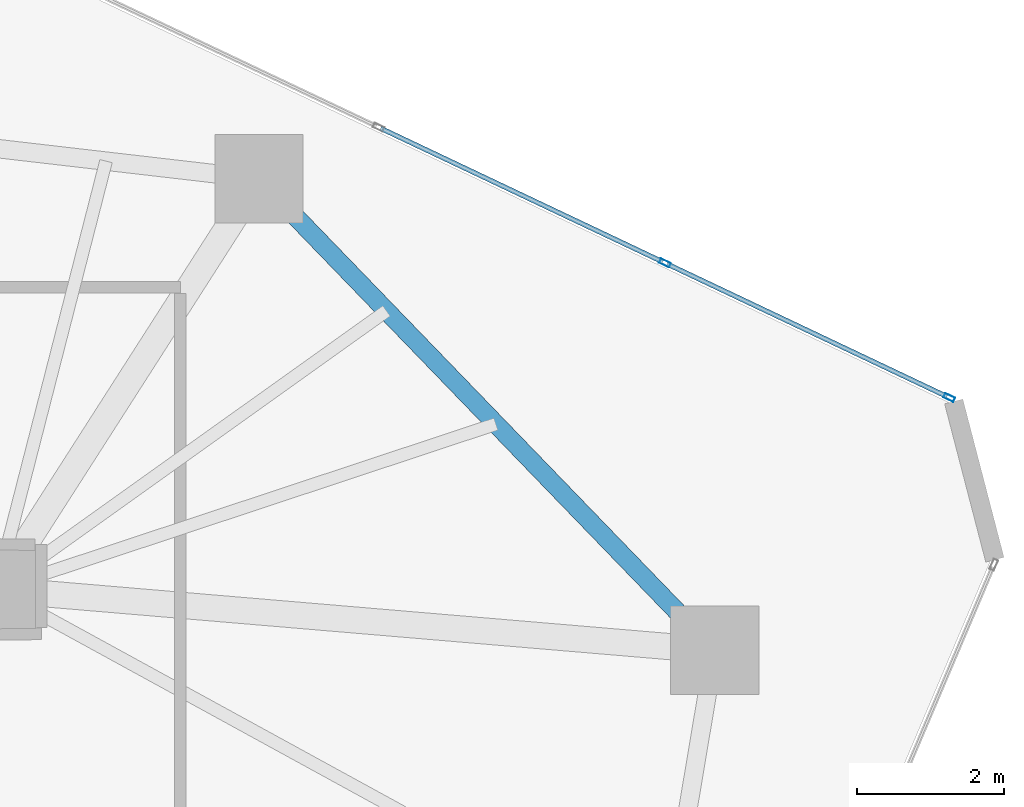
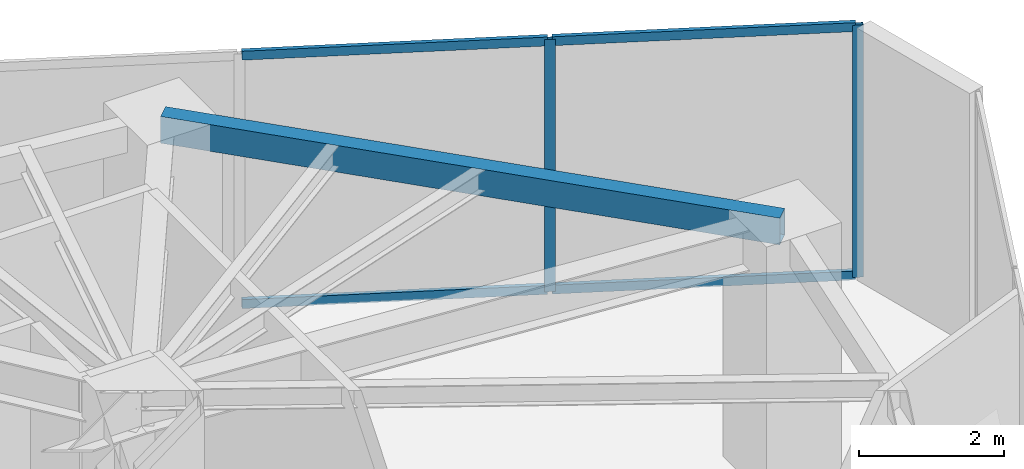
# One storey, part 20 of 28: 6 members, 1 beam, 1 element without a shape of its own.
"""IFC4 building model written with IfcOpenShell, lengths in metres."""

from ifc_helpers import new_model, si_unit, direction, frame, origin, origin_2d, place, context, subcontext, project, spatial, hollow_rectangle, extrude, source, transform, mapped, material, layer, layer_set, material_profile, profile_set, type_object, type_shapes, element, aggregate, save


model = new_model("IFC4")

# Units and contexts
model_context = context("Model", 3, precision=1e-05, world=origin(), true_north=direction((0.0, 1.0)))
body_context = subcontext(model_context, "Body", "Model", "MODEL_VIEW")
ifc_project = project(units=[si_unit("LENGTHUNIT", "METRE"), si_unit("AREAUNIT", "SQUARE_METRE"), si_unit("VOLUMEUNIT", "CUBIC_METRE"), si_unit("PLANEANGLEUNIT", "RADIAN"), si_unit("MASSUNIT", "GRAM", prefix="KILO")], contexts=[model_context])

# Site, building, storey
site_placement = place(None, origin())
site = spatial("IfcSite", under=ifc_project, at=site_placement, CompositionType="ELEMENT")
building_placement = place(site_placement, origin())
building = spatial("IfcBuilding", under=site, at=building_placement, Name="Talar Marvaseh", CompositionType="ELEMENT")
storey_placement = place(building_placement, frame((0.0, 0.0, 157.800048828125)))
storey = spatial("IfcBuildingStorey", under=building, at=storey_placement, Name="L41", CompositionType="ELEMENT", Elevation=157.800048828125)

# Beam
ifc_material_1 = material(Name="Steel S355", Category="steel")
ifc_material_profile_1 = material_profile(ifc_material_1, hollow_rectangle(XDim=0.25, YDim=0.449951171875, WallThickness=0.01611328125, at=origin_2d()), Name="RHS450x250x16")
ifc_profile_set_1 = profile_set([ifc_material_profile_1], Name="Steel S355")
beam_type = type_object("IfcBeamType", Name="Zone 2 Perimeter Spandrel Beam RHS450x250x16", PredefinedType="SPANDREL", material=ifc_profile_set_1)
beam_placement = place(storey_placement, frame((36.865966796875, 42.470947265625, 4.02490234375), z_axis=(0.694796856243, -0.719206040405, 0.0), x_axis=(0.719206040405, 0.694796856243, 0.0)))
element("IfcBeam", 1, at=beam_placement, inside=storey, type_object=beam_type, Name="L41 Zone 2 Perimeter Spandrel Beam RHS450x250x16", PredefinedType="SPANDREL", context=body_context, shape_type="SweptSolid", body=[
    extrude(hollow_rectangle(XDim=0.25, YDim=0.449951171875, WallThickness=0.01611328125, at=origin_2d()), origin(), (0.0, 0.0, 1.0), 8.891845703125),
])

# Curtain wall, members
ifc_material_2 = material(Name="Architectural Aluminium", Category="aluminium")
ifc_layer = layer(ifc_material_2, 0.239990234375)
ifc_layer_set = layer_set([ifc_layer], Name="Architectural Aluminium")
curtain_wall_type = type_object("IfcCurtainWallType", Name="Observation Sky Gallery Structural Glass Wall", PredefinedType="NOTDEFINED", material=ifc_layer_set)
curtain_wall_placement = place(storey_placement, origin())
curtain_wall = element("IfcCurtainWall", 2, at=curtain_wall_placement, inside=storey, type_object=curtain_wall_type, Name="L41 Observation Sky Gallery Structural Glass Wall", PredefinedType="NOTDEFINED")
ifc_material_profile_2 = material_profile(ifc_material_2, hollow_rectangle(XDim=0.06494140625, YDim=0.14990234375, WallThickness=0.00390625, at=origin_2d()), Name="RHS150x65x4")
ifc_profile_set_2 = profile_set([ifc_material_profile_2], Name="Architectural Aluminium")
member_type_1 = type_object("IfcMemberType", Name="Unitised Curtain Wall Slim Mullion RHS150x65x4", PredefinedType="MULLION", material=ifc_profile_set_2)
shared_shape_1 = source(origin(), body_context, "Body", "SweptSolid", [
    extrude(hollow_rectangle(XDim=0.06494140625, YDim=0.14990234375, WallThickness=0.00390625, at=origin_2d()), origin(), (0.0, 0.0, 1.0), 4.25),
])
type_shapes(member_type_1, [shared_shape_1])
member_1_placement = place(storey_placement, frame((42.371337890625, 41.33056640625, 0.0), z_axis=(0.0, 0.0, 1.0), x_axis=(0.428089095221, 0.903736536028, 0.0)))
member_1 = element("IfcMember", 3, at=member_1_placement, type_object=member_type_1, Name="CW-OBS mullion 4", PredefinedType="MULLION", context=body_context, shape_type="MappedRepresentation", body=[
    mapped(shared_shape_1, transform((0.0, 0.0, 0.0), x_axis=(1.0, 0.0, 0.0), y_axis=(0.0, 1.0, 0.0), z_axis=(0.0, 0.0, 1.0), scale=1.0)),
])
member_2_placement = place(storey_placement, frame((46.22607421875, 39.50439453125, 0.0), z_axis=(0.0, 0.0, 1.0), x_axis=(0.428089095221, 0.903736536028, 0.0)))
member_2 = element("IfcMember", 4, at=member_2_placement, type_object=member_type_1, Name="CW-OBS mullion 5", PredefinedType="MULLION", context=body_context, shape_type="MappedRepresentation", body=[
    mapped(shared_shape_1, transform((0.0, 0.0, 0.0), x_axis=(1.0, 0.0, 0.0), y_axis=(0.0, 1.0, 0.0), z_axis=(0.0, 0.0, 1.0), scale=1.0)),
])
ifc_material_profile_3 = material_profile(ifc_material_2, hollow_rectangle(XDim=0.06494140625, YDim=0.14990234375, WallThickness=0.00390625, at=origin_2d()), Name="RHS150x65x4")
ifc_profile_set_3 = profile_set([ifc_material_profile_3], Name="Architectural Aluminium")
member_type_2 = type_object("IfcMemberType", Name="Unitised Curtain Wall Slim Transom RHS150x65x4", PredefinedType="USERDEFINED", material=ifc_profile_set_3)
shared_shape_2 = source(origin(), body_context, "Body", "SweptSolid", [
    extrude(hollow_rectangle(XDim=0.06494140625, YDim=0.14990234375, WallThickness=0.00390625, at=origin_2d()), origin(), (0.0, 0.0, 1.0), 4.20068359375),
])
member_3_placement = place(storey_placement, frame((42.400634765625, 41.316650390625, 0.032470703125), z_axis=(0.903722453356, -0.42811882381, 0.0), x_axis=(0.42811882381, 0.903722453356, 0.0)))
member_3 = element("IfcMember", 5, at=member_3_placement, type_object=member_type_2, Name="CW-OBS transom 4.1", ObjectType="TRANSOM", PredefinedType="USERDEFINED", context=body_context, shape_type="MappedRepresentation", body=[
    mapped(shared_shape_2, transform((0.0, 0.0, 0.0), x_axis=(1.0, 0.0, 0.0), y_axis=(0.0, 1.0, 0.0), z_axis=(0.0, 0.0, 1.0), scale=1.0)),
])
member_4_placement = place(storey_placement, frame((42.400634765625, 41.316650390625, 4.217529296875), z_axis=(0.903722453356, -0.42811882381, 0.0), x_axis=(0.42811882381, 0.903722453356, 0.0)))
member_4 = element("IfcMember", 6, at=member_4_placement, type_object=member_type_2, Name="CW-OBS transom 4.2", ObjectType="TRANSOM", PredefinedType="USERDEFINED", context=body_context, shape_type="MappedRepresentation", body=[
    mapped(shared_shape_2, transform((0.0, 0.0, 0.0), x_axis=(1.0, 0.0, 0.0), y_axis=(0.0, 1.0, 0.0), z_axis=(0.0, 0.0, 1.0), scale=1.0)),
])
shared_shape_3 = source(origin(), body_context, "Body", "SweptSolid", [
    extrude(hollow_rectangle(XDim=0.06494140625, YDim=0.14990234375, WallThickness=0.00390625, at=origin_2d()), origin(), (0.0, 0.0, 1.0), 4.23291015625),
])
type_shapes(member_type_2, [shared_shape_2, shared_shape_3])
member_5_placement = place(storey_placement, frame((38.516357421875, 43.156494140625, 0.032470703125), z_axis=(0.90374136212, -0.428078906737, 0.0), x_axis=(0.428078906737, 0.90374136212, 0.0)))
member_5 = element("IfcMember", 7, at=member_5_placement, type_object=member_type_2, Name="CW-OBS transom 3.1", ObjectType="TRANSOM", PredefinedType="USERDEFINED", context=body_context, shape_type="MappedRepresentation", body=[
    mapped(shared_shape_3, transform((0.0, 0.0, 0.0), x_axis=(1.0, 0.0, 0.0), y_axis=(0.0, 1.0, 0.0), z_axis=(0.0, 0.0, 1.0), scale=1.0)),
])
member_6_placement = place(storey_placement, frame((38.516357421875, 43.156494140625, 4.217529296875), z_axis=(0.90374136212, -0.428078906737, 0.0), x_axis=(0.428078906737, 0.90374136212, 0.0)))
member_6 = element("IfcMember", 8, at=member_6_placement, type_object=member_type_2, Name="CW-OBS transom 3.2", ObjectType="TRANSOM", PredefinedType="USERDEFINED", context=body_context, shape_type="MappedRepresentation", body=[
    mapped(shared_shape_3, transform((0.0, 0.0, 0.0), x_axis=(1.0, 0.0, 0.0), y_axis=(0.0, 1.0, 0.0), z_axis=(0.0, 0.0, 1.0), scale=1.0)),
])
aggregate(curtain_wall, [member_1, member_2, member_5, member_6, member_3, member_4])

save(model, "model.ifc")
